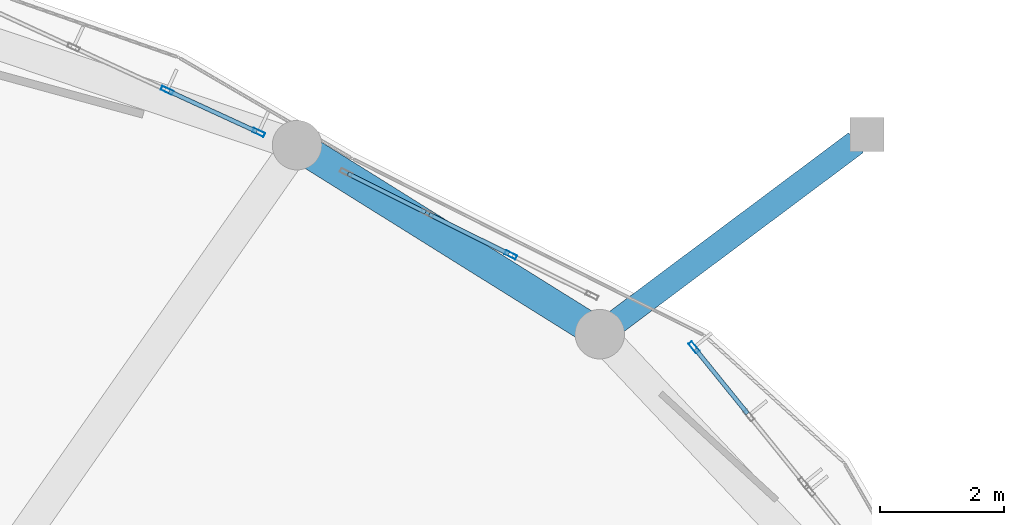
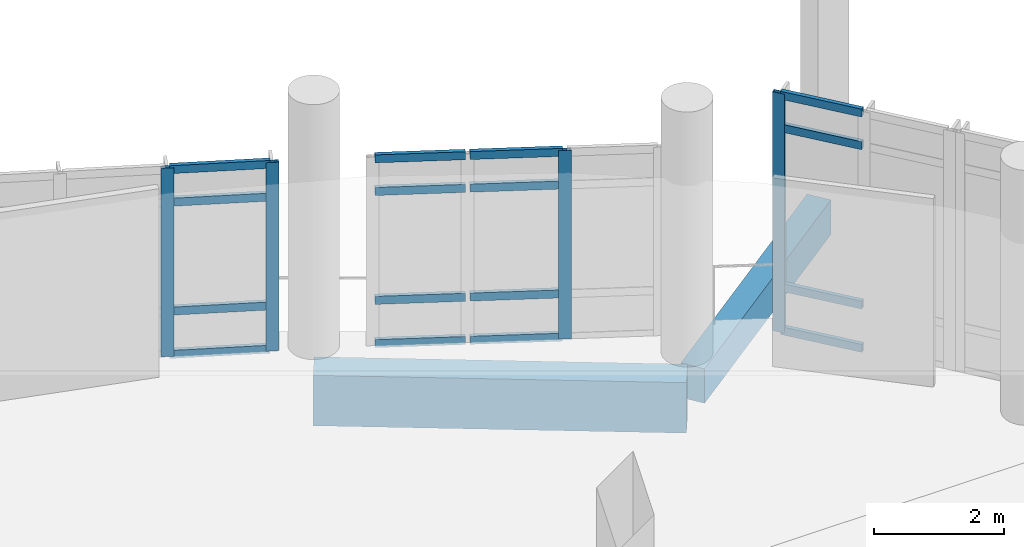
# One storey, part 18 of 63: 20 members, 2 beams, 3 elements without a shape of their own.
"""IFC4 building model written with IfcOpenShell, lengths in metres."""

from ifc_helpers import new_model, si_unit, derived_unit, direction, frame, origin, origin_2d, place, context, subcontext, project, spatial, rectangle, hollow_rectangle, extrude, material, layer, layer_set, material_profile, profile_set, type_object, element, aggregate, save


model = new_model("IFC4")

# Units and contexts
model_context = context("Model", 3, precision=1e-05, world=origin(), true_north=direction((0.0, 1.0)))
body_context = subcontext(model_context, "Body", "Model", "MODEL_VIEW")
ifc_project = project(units=[si_unit("LENGTHUNIT", "METRE"), si_unit("AREAUNIT", "SQUARE_METRE"), si_unit("VOLUMEUNIT", "CUBIC_METRE"), si_unit("PLANEANGLEUNIT", "RADIAN"), si_unit("MASSUNIT", "GRAM", prefix="KILO"), derived_unit("THERMALTRANSMITTANCEUNIT", [(si_unit("POWERUNIT", "WATT"), 1), (si_unit("LENGTHUNIT", "METRE"), -2), (si_unit("THERMODYNAMICTEMPERATUREUNIT", "KELVIN"), -1)])], contexts=[model_context])

# Site, building, storey
site_placement = place(None, origin())
site = spatial("IfcSite", under=ifc_project, at=site_placement, CompositionType="ELEMENT")
building_placement = place(site_placement, origin())
building = spatial("IfcBuilding", under=site, at=building_placement, Name="Elbkamm Science Centre", CompositionType="ELEMENT")
storey_placement = place(building_placement, frame((0.0, 0.0, 5.10009765625)))
storey = spatial("IfcBuildingStorey", under=building, at=storey_placement, Name="L01", CompositionType="ELEMENT", Elevation=5.10009765625)

# Beams
ifc_material_1 = material(Name="Concrete C40/50", Category="concrete")
ifc_material_profile_1 = material_profile(ifc_material_1, rectangle(XDim=0.39990234375, YDim=0.64990234375, at=origin_2d()), Name="RC 400x650")
ifc_profile_set_1 = profile_set([ifc_material_profile_1], Name="Concrete C40/50")
beam_type_1 = type_object("IfcBeamType", Name="BM-RC-400x650", PredefinedType="BEAM", material=ifc_profile_set_1)
beam_1_placement = place(storey_placement, frame((83.82373046875, 83.868408203125, -0.72509765625), z_axis=(-0.800864326985, -0.598845831382, 0.0), x_axis=(0.598845831382, -0.800864326985, 0.0)))
element("IfcBeam", 1, at=beam_1_placement, inside=storey, type_object=beam_type_1, Name="L01 Perimeter Ring Tie Girder 032", PredefinedType="BEAM", context=body_context, shape_type="SweptSolid", body=[
    extrude(rectangle(XDim=0.39990234375, YDim=0.64990234375, at=origin_2d()), origin(), (0.0, 0.0, 1.0), 4.944091796875),
])
ifc_material_profile_2 = material_profile(ifc_material_1, rectangle(XDim=0.5, YDim=0.949951171875, at=origin_2d()), Name="RC 500x950")
ifc_profile_set_2 = profile_set([ifc_material_profile_2], Name="Concrete C40/50")
beam_type_2 = type_object("IfcBeamType", Name="BM-RC-500x950", PredefinedType="BEAM", material=ifc_profile_set_2)
beam_2_placement = place(storey_placement, frame((79.68798828125, 80.77587890625, -0.875), z_axis=(-0.848229099729, 0.529629487824, 0.0), x_axis=(-0.529629487824, -0.848229099729, 0.0)))
element("IfcBeam", 2, at=beam_2_placement, inside=storey, type_object=beam_type_2, Name="L01 Elliptical Shell Perimeter Ring Beam 04", PredefinedType="SPANDREL", context=body_context, shape_type="SweptSolid", body=[
    extrude(rectangle(XDim=0.5, YDim=0.949951171875, at=origin_2d()), origin(), (0.0, 0.0, 1.0), 5.762451171875),
])

# Curtain wall, member
ifc_material_2 = material(Name="Powder-coated aluminium and triple low-E glazing", Category="aluminium")
ifc_layer_1 = layer(ifc_material_2, 0.159912109375)
ifc_layer_set_1 = layer_set([ifc_layer_1], Name="Powder-coated aluminium and triple low-E glazing")
curtain_wall_type_1 = type_object("IfcCurtainWallType", Name="CW-UNIT-2900x4500", PredefinedType="USERDEFINED", material=ifc_layer_set_1)
curtain_wall_1_placement = place(storey_placement, origin())
curtain_wall_1 = element("IfcCurtainWall", 3, at=curtain_wall_1_placement, inside=storey, type_object=curtain_wall_type_1, Name="L01 Unitised Curtain Wall 005", ObjectType="UNITISED CURTAIN WALL", PredefinedType="USERDEFINED")
ifc_material_3 = material(Name="Powder-coated aluminium EN AW-6060", Category="aluminium")
ifc_material_profile_3 = material_profile(ifc_material_3, hollow_rectangle(XDim=0.070068359375, YDim=0.199951171875, WallThickness=0.00439453125, at=origin_2d()), Name="ALU M70x200")
ifc_profile_set_3 = profile_set([ifc_material_profile_3], Name="Powder-coated aluminium EN AW-6060")
member_type_1 = type_object("IfcMemberType", Name="CW-MUL-70x200", PredefinedType="MULLION", material=ifc_profile_set_3)
member_1_placement = place(storey_placement, frame((81.2080078125, 80.564697265625, 0.0), z_axis=(0.0, 0.0, 1.0), x_axis=(-0.777492683372, -0.628891983811, 0.0)))
member_1 = element("IfcMember", 4, at=member_1_placement, type_object=member_type_1, Name="CW-003 mullion 3", PredefinedType="MULLION", context=body_context, shape_type="SweptSolid", body=[
    extrude(hollow_rectangle(XDim=0.070068359375, YDim=0.199951171875, WallThickness=0.00439453125, at=origin_2d()), origin(), (0.0, 0.0, 1.0), 4.5),
])

ifc_layer_2 = layer(ifc_material_2, 0.159912109375)
ifc_layer_set_2 = layer_set([ifc_layer_2], Name="Powder-coated aluminium and triple low-E glazing")
curtain_wall_type_2 = type_object("IfcCurtainWallType", Name="CW-UNIT-4500x3560", PredefinedType="USERDEFINED", material=ifc_layer_set_2)
curtain_wall_2_placement = place(storey_placement, origin())
curtain_wall_2 = element("IfcCurtainWall", 5, at=curtain_wall_2_placement, inside=storey, type_object=curtain_wall_type_2, Name="L01 Unitised Curtain Wall 006", ObjectType="UNITISED CURTAIN WALL", PredefinedType="USERDEFINED")
member_2_placement = place(storey_placement, frame((78.248779296875, 82.05712890625, 0.0), z_axis=(0.0, 0.0, 1.0), x_axis=(-0.446441177439, -0.894812983303, 0.0)))
member_2 = element("IfcMember", 6, at=member_2_placement, type_object=member_type_1, Name="CW-004 mullion 2", PredefinedType="MULLION", context=body_context, shape_type="SweptSolid", body=[
    extrude(hollow_rectangle(XDim=0.070068359375, YDim=0.199951171875, WallThickness=0.00439453125, at=origin_2d()), origin(), (0.0, 0.0, 1.0), 3.5498046875),
])

# Curtain wall, members
ifc_layer_3 = layer(ifc_material_2, 0.159912109375)
ifc_layer_set_3 = layer_set([ifc_layer_3], Name="Powder-coated aluminium and triple low-E glazing")
curtain_wall_type_3 = type_object("IfcCurtainWallType", Name="CW-UNIT-4980x3560", PredefinedType="USERDEFINED", material=ifc_layer_set_3)
curtain_wall_3_placement = place(storey_placement, origin())
curtain_wall_3 = element("IfcCurtainWall", 7, at=curtain_wall_3_placement, inside=storey, type_object=curtain_wall_type_3, Name="L01 Unitised Curtain Wall 007", ObjectType="UNITISED CURTAIN WALL", PredefinedType="USERDEFINED")
member_3_placement = place(storey_placement, frame((74.180908203125, 84.032470703125, 0.0), z_axis=(0.0, 0.0, 1.0), x_axis=(-0.417704670458, -0.908582857134, 0.0)))
member_3 = element("IfcMember", 8, at=member_3_placement, type_object=member_type_1, Name="CW-005 mullion 1", PredefinedType="MULLION", context=body_context, shape_type="SweptSolid", body=[
    extrude(hollow_rectangle(XDim=0.070068359375, YDim=0.199951171875, WallThickness=0.00439453125, at=origin_2d()), origin(), (0.0, 0.0, 1.0), 3.5498046875),
])
member_4_placement = place(storey_placement, frame((72.702392578125, 84.712158203125, 0.0), z_axis=(0.0, 0.0, 1.0), x_axis=(-0.417704670458, -0.908582857134, 0.0)))
member_4 = element("IfcMember", 9, at=member_4_placement, type_object=member_type_1, Name="CW-005 mullion 2", PredefinedType="MULLION", context=body_context, shape_type="SweptSolid", body=[
    extrude(hollow_rectangle(XDim=0.070068359375, YDim=0.199951171875, WallThickness=0.00439453125, at=origin_2d()), origin(), (0.0, 0.0, 1.0), 3.5498046875),
])

# Member
ifc_material_profile_4 = material_profile(ifc_material_3, hollow_rectangle(XDim=0.070068359375, YDim=0.14990234375, WallThickness=0.00390625, at=origin_2d()), Name="ALU T70x150")
ifc_profile_set_4 = profile_set([ifc_material_profile_4], Name="Powder-coated aluminium EN AW-6060")
member_type_2 = type_object("IfcMemberType", Name="CW-TRN-70x150", PredefinedType="USERDEFINED", material=ifc_profile_set_4)
member_5_placement = place(storey_placement, frame((82.07373046875, 79.494140625, 0.034912109375), z_axis=(-0.628857925854, 0.777520230663, 0.0), x_axis=(-0.777520230663, -0.628857925854, 0.0)))
member_5 = element("IfcMember", 10, at=member_5_placement, type_object=member_type_2, Name="CW-003 transom 2.1", ObjectType="TRANSOM", PredefinedType="USERDEFINED", context=body_context, shape_type="SweptSolid", body=[
    extrude(hollow_rectangle(XDim=0.070068359375, YDim=0.14990234375, WallThickness=0.00390625, at=origin_2d()), origin(), (0.0, 0.0, 1.0), 1.341796875),
])

member_6_placement = place(storey_placement, frame((82.07373046875, 79.494140625, 0.849853515625), z_axis=(-0.628857925854, 0.777520230663, 0.0), x_axis=(-0.777520230663, -0.628857925854, 0.0)))
member_6 = element("IfcMember", 11, at=member_6_placement, type_object=member_type_2, Name="CW-003 transom 2.2", ObjectType="TRANSOM", PredefinedType="USERDEFINED", context=body_context, shape_type="SweptSolid", body=[
    extrude(hollow_rectangle(XDim=0.070068359375, YDim=0.14990234375, WallThickness=0.00390625, at=origin_2d()), origin(), (0.0, 0.0, 1.0), 1.341796875),
])

member_7_placement = place(storey_placement, frame((82.07373046875, 79.494140625, 3.849853515625), z_axis=(-0.628857925854, 0.777520230663, 0.0), x_axis=(-0.777520230663, -0.628857925854, 0.0)))
member_7 = element("IfcMember", 12, at=member_7_placement, type_object=member_type_2, Name="CW-003 transom 2.3", ObjectType="TRANSOM", PredefinedType="USERDEFINED", context=body_context, shape_type="SweptSolid", body=[
    extrude(hollow_rectangle(XDim=0.070068359375, YDim=0.14990234375, WallThickness=0.00390625, at=origin_2d()), origin(), (0.0, 0.0, 1.0), 1.341796875),
])

member_8_placement = place(storey_placement, frame((82.07373046875, 79.494140625, 4.46484375), z_axis=(-0.628857925854, 0.777520230663, 0.0), x_axis=(-0.777520230663, -0.628857925854, 0.0)))
member_8 = element("IfcMember", 13, at=member_8_placement, type_object=member_type_2, Name="CW-003 transom 2.4", ObjectType="TRANSOM", PredefinedType="USERDEFINED", context=body_context, shape_type="SweptSolid", body=[
    extrude(hollow_rectangle(XDim=0.070068359375, YDim=0.14990234375, WallThickness=0.00390625, at=origin_2d()), origin(), (0.0, 0.0, 1.0), 1.341796875),
])

aggregate(curtain_wall_1, [member_1, member_5, member_6, member_7, member_8])

member_9_placement = place(storey_placement, frame((78.21728515625, 82.07275390625, 0.034912109375), z_axis=(-0.894767924871, 0.446531477751, 0.0), x_axis=(-0.446531477751, -0.894767924871, 0.0)))
member_9 = element("IfcMember", 14, at=member_9_placement, type_object=member_type_2, Name="CW-004 transom 2.1", ObjectType="TRANSOM", PredefinedType="USERDEFINED", context=body_context, shape_type="SweptSolid", body=[
    extrude(hollow_rectangle(XDim=0.070068359375, YDim=0.14990234375, WallThickness=0.00390625, at=origin_2d()), origin(), (0.0, 0.0, 1.0), 1.431884765625),
])

member_10_placement = place(storey_placement, frame((78.21728515625, 82.07275390625, 0.849853515625), z_axis=(-0.894767924871, 0.446531477751, 0.0), x_axis=(-0.446531477751, -0.894767924871, 0.0)))
member_10 = element("IfcMember", 15, at=member_10_placement, type_object=member_type_2, Name="CW-004 transom 2.2", ObjectType="TRANSOM", PredefinedType="USERDEFINED", context=body_context, shape_type="SweptSolid", body=[
    extrude(hollow_rectangle(XDim=0.070068359375, YDim=0.14990234375, WallThickness=0.00390625, at=origin_2d()), origin(), (0.0, 0.0, 1.0), 1.431884765625),
])

member_11_placement = place(storey_placement, frame((78.21728515625, 82.07275390625, 2.89990234375), z_axis=(-0.894767924871, 0.446531477751, 0.0), x_axis=(-0.446531477751, -0.894767924871, 0.0)))
member_11 = element("IfcMember", 16, at=member_11_placement, type_object=member_type_2, Name="CW-004 transom 2.3", ObjectType="TRANSOM", PredefinedType="USERDEFINED", context=body_context, shape_type="SweptSolid", body=[
    extrude(hollow_rectangle(XDim=0.070068359375, YDim=0.14990234375, WallThickness=0.00390625, at=origin_2d()), origin(), (0.0, 0.0, 1.0), 1.431884765625),
])

member_12_placement = place(storey_placement, frame((78.21728515625, 82.07275390625, 3.514892578125), z_axis=(-0.894767924871, 0.446531477751, 0.0), x_axis=(-0.446531477751, -0.894767924871, 0.0)))
member_12 = element("IfcMember", 17, at=member_12_placement, type_object=member_type_2, Name="CW-004 transom 2.4", ObjectType="TRANSOM", PredefinedType="USERDEFINED", context=body_context, shape_type="SweptSolid", body=[
    extrude(hollow_rectangle(XDim=0.070068359375, YDim=0.14990234375, WallThickness=0.00390625, at=origin_2d()), origin(), (0.0, 0.0, 1.0), 1.431884765625),
])

member_13_placement = place(storey_placement, frame((76.873291015625, 82.743408203125, 0.034912109375), z_axis=(-0.894811274705, 0.446444602006, 0.0), x_axis=(-0.446444602006, -0.894811274705, 0.0)))
member_13 = element("IfcMember", 18, at=member_13_placement, type_object=member_type_2, Name="CW-004 transom 3.1", ObjectType="TRANSOM", PredefinedType="USERDEFINED", context=body_context, shape_type="SweptSolid", body=[
    extrude(hollow_rectangle(XDim=0.070068359375, YDim=0.14990234375, WallThickness=0.00390625, at=origin_2d()), origin(), (0.0, 0.0, 1.0), 1.397216796875),
])

member_14_placement = place(storey_placement, frame((76.873291015625, 82.743408203125, 0.849853515625), z_axis=(-0.894811274705, 0.446444602006, 0.0), x_axis=(-0.446444602006, -0.894811274705, 0.0)))
member_14 = element("IfcMember", 19, at=member_14_placement, type_object=member_type_2, Name="CW-004 transom 3.2", ObjectType="TRANSOM", PredefinedType="USERDEFINED", context=body_context, shape_type="SweptSolid", body=[
    extrude(hollow_rectangle(XDim=0.070068359375, YDim=0.14990234375, WallThickness=0.00390625, at=origin_2d()), origin(), (0.0, 0.0, 1.0), 1.397216796875),
])

member_15_placement = place(storey_placement, frame((76.873291015625, 82.743408203125, 2.89990234375), z_axis=(-0.894811274705, 0.446444602006, 0.0), x_axis=(-0.446444602006, -0.894811274705, 0.0)))
member_15 = element("IfcMember", 20, at=member_15_placement, type_object=member_type_2, Name="CW-004 transom 3.3", ObjectType="TRANSOM", PredefinedType="USERDEFINED", context=body_context, shape_type="SweptSolid", body=[
    extrude(hollow_rectangle(XDim=0.070068359375, YDim=0.14990234375, WallThickness=0.00390625, at=origin_2d()), origin(), (0.0, 0.0, 1.0), 1.397216796875),
])

member_16_placement = place(storey_placement, frame((76.873291015625, 82.743408203125, 3.514892578125), z_axis=(-0.894811274705, 0.446444602006, 0.0), x_axis=(-0.446444602006, -0.894811274705, 0.0)))
member_16 = element("IfcMember", 21, at=member_16_placement, type_object=member_type_2, Name="CW-004 transom 3.4", ObjectType="TRANSOM", PredefinedType="USERDEFINED", context=body_context, shape_type="SweptSolid", body=[
    extrude(hollow_rectangle(XDim=0.070068359375, YDim=0.14990234375, WallThickness=0.00390625, at=origin_2d()), origin(), (0.0, 0.0, 1.0), 1.397216796875),
])

aggregate(curtain_wall_2, [member_2, member_9, member_10, member_11, member_12, member_13, member_14, member_15, member_16])

member_17_placement = place(storey_placement, frame((74.149169921875, 84.047119140625, 0.034912109375), z_axis=(-0.90859162191, 0.417685604964, 0.0), x_axis=(-0.417685604964, -0.90859162191, 0.0)))
member_17 = element("IfcMember", 22, at=member_17_placement, type_object=member_type_2, Name="CW-005 transom 1.1", ObjectType="TRANSOM", PredefinedType="USERDEFINED", context=body_context, shape_type="SweptSolid", body=[
    extrude(hollow_rectangle(XDim=0.070068359375, YDim=0.14990234375, WallThickness=0.00390625, at=origin_2d()), origin(), (0.0, 0.0, 1.0), 1.55712890625),
])

member_18_placement = place(storey_placement, frame((74.149169921875, 84.047119140625, 0.849853515625), z_axis=(-0.90859162191, 0.417685604964, 0.0), x_axis=(-0.417685604964, -0.90859162191, 0.0)))
member_18 = element("IfcMember", 23, at=member_18_placement, type_object=member_type_2, Name="CW-005 transom 1.2", ObjectType="TRANSOM", PredefinedType="USERDEFINED", context=body_context, shape_type="SweptSolid", body=[
    extrude(hollow_rectangle(XDim=0.070068359375, YDim=0.14990234375, WallThickness=0.00390625, at=origin_2d()), origin(), (0.0, 0.0, 1.0), 1.55712890625),
])

member_19_placement = place(storey_placement, frame((74.149169921875, 84.047119140625, 2.89990234375), z_axis=(-0.90859162191, 0.417685604964, 0.0), x_axis=(-0.417685604964, -0.90859162191, 0.0)))
member_19 = element("IfcMember", 24, at=member_19_placement, type_object=member_type_2, Name="CW-005 transom 1.3", ObjectType="TRANSOM", PredefinedType="USERDEFINED", context=body_context, shape_type="SweptSolid", body=[
    extrude(hollow_rectangle(XDim=0.070068359375, YDim=0.14990234375, WallThickness=0.00390625, at=origin_2d()), origin(), (0.0, 0.0, 1.0), 1.55712890625),
])

member_20_placement = place(storey_placement, frame((74.149169921875, 84.047119140625, 3.514892578125), z_axis=(-0.90859162191, 0.417685604964, 0.0), x_axis=(-0.417685604964, -0.90859162191, 0.0)))
member_20 = element("IfcMember", 25, at=member_20_placement, type_object=member_type_2, Name="CW-005 transom 1.4", ObjectType="TRANSOM", PredefinedType="USERDEFINED", context=body_context, shape_type="SweptSolid", body=[
    extrude(hollow_rectangle(XDim=0.070068359375, YDim=0.14990234375, WallThickness=0.00390625, at=origin_2d()), origin(), (0.0, 0.0, 1.0), 1.55712890625),
])

aggregate(curtain_wall_3, [member_3, member_4, member_17, member_18, member_19, member_20])

save(model, "model.ifc")
